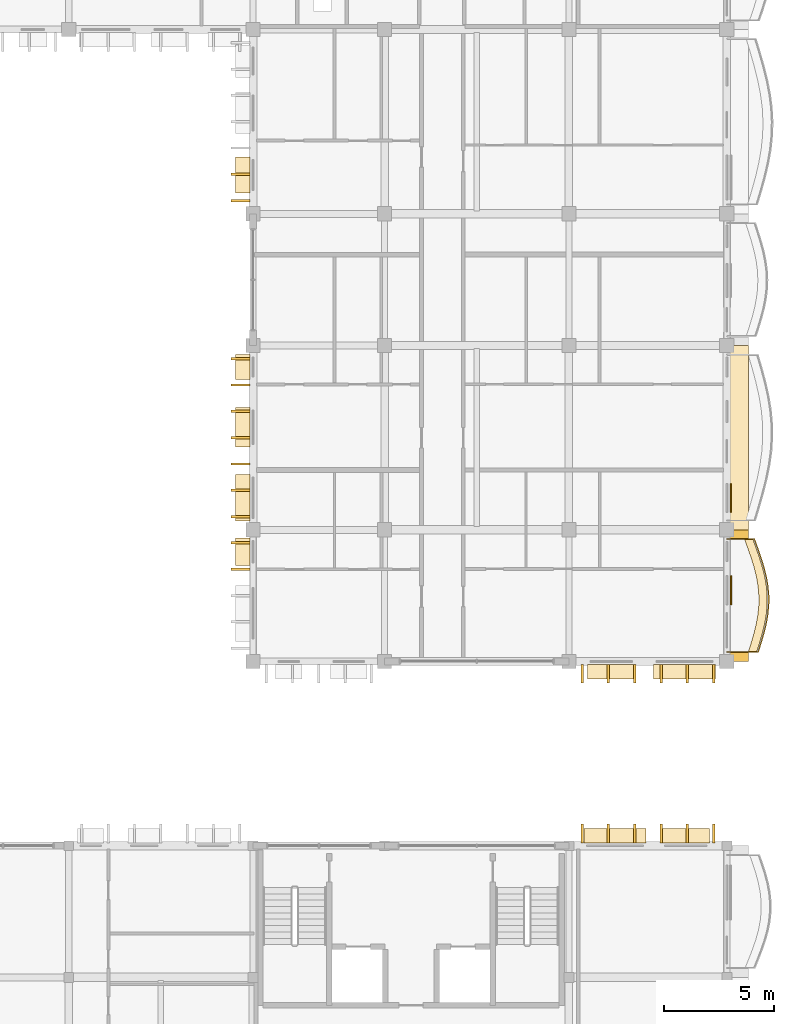
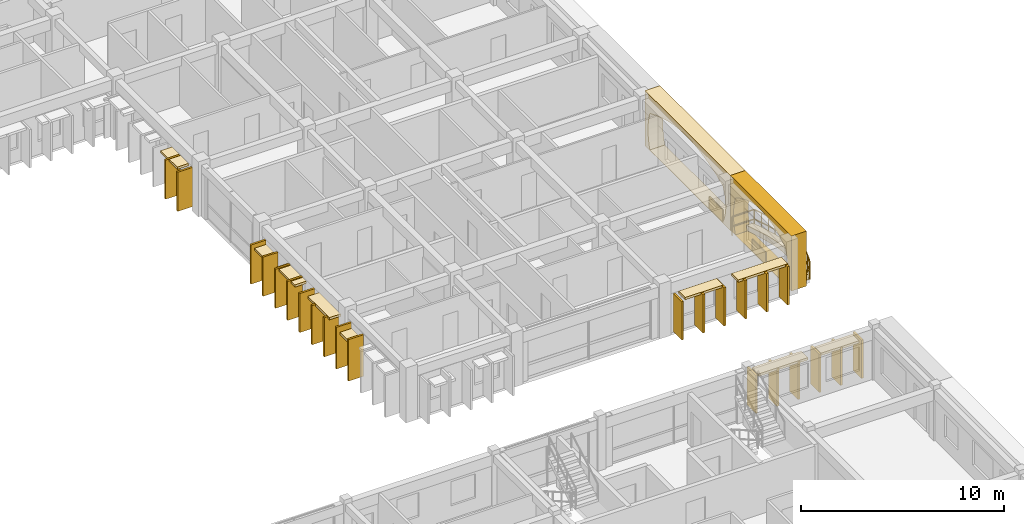
# One storey, part 71 of 76: 37 coverings, 1 railing.
"""IFC4 building model written with IfcOpenShell, lengths in metres."""

from ifc_helpers import new_model, si_unit, direction, frame, origin, origin_2d, place, context, subcontext, project, spatial, polyline, rectangle, outline, extrude, material, layer, layer_set, type_object, element, save


model = new_model("IFC4")

# Units and contexts
model_context = context("Model", 3, precision=1e-05, world=origin(), true_north=direction((0.0, 1.0)))
body_context = subcontext(model_context, "Body", "Model", "MODEL_VIEW")
ifc_project = project(units=[si_unit("LENGTHUNIT", "METRE"), si_unit("AREAUNIT", "SQUARE_METRE"), si_unit("VOLUMEUNIT", "CUBIC_METRE"), si_unit("PLANEANGLEUNIT", "RADIAN"), si_unit("MASSUNIT", "GRAM", prefix="KILO"), si_unit("THERMODYNAMICTEMPERATUREUNIT", "KELVIN")], contexts=[model_context])

# Site, building, storey
site_placement = place(None, origin())
site = spatial("IfcSite", under=ifc_project, at=site_placement, CompositionType="ELEMENT")
building_placement = place(site_placement, origin())
building = spatial("IfcBuilding", under=site, at=building_placement, Name="Thalorik Housing Commons", CompositionType="ELEMENT")
storey_placement = place(building_placement, frame((0.0, 0.0, 18.0)))
storey = spatial("IfcBuildingStorey", under=building, at=storey_placement, Name="L05", CompositionType="ELEMENT", Elevation=18.0)

# Coverings
ifc_material_1 = material(Name="Precast concrete C40/50", Category="concrete")
ifc_layer_1 = layer(ifc_material_1, 0.85009765625, Name="Precast concrete C40/50", Category="concrete")
ifc_layer_set_1 = layer_set([ifc_layer_1], Name="Precast concrete C40/50")
covering_type_1 = type_object("IfcCoveringType", Name="ARC-CLD-CUSH-850", PredefinedType="CLADDING", material=ifc_layer_set_1)
covering_1_placement = place(storey_placement, frame((174.570068359375, 83.39990234375, 0.0), z_axis=(0.0, 0.0, 1.0), x_axis=(0.0, 1.0, 0.0)))
element("IfcCovering", 1, at=covering_1_placement, inside=storey, type_object=covering_type_1, Name="L05 White Precast Curved Cushion Bay Frame 2354", PredefinedType="CLADDING", context=body_context, shape_type="SweptSolid", body=[
    extrude(outline(polyline([(-3.0, 0.0), (3.0, 0.0), (3.0, 3.300048828125), (-3.0, 3.300048828125), (-3.0, 0.0)]), holes=[polyline([(2.513427734375, 0.02490234375), (2.6162109375, 0.394287109375), (2.677734375, 0.76318359375), (2.6982421875, 1.132568359375), (2.677734375, 1.501708984375), (2.6162109375, 1.870849609375), (2.513427734375, 2.239990234375), (2.101318359375, 2.4833984375), (1.689453125, 2.6748046875), (1.277587890625, 2.82958984375), (0.865478515625, 2.94482421875), (0.45361328125, 3.01611328125), (0.041748046875, 3.0400390625), (-0.3701171875, 3.01611328125), (-0.7822265625, 2.94482421875), (-1.194091796875, 2.82958984375), (-1.606201171875, 2.6748046875), (-2.01806640625, 2.4833984375), (-2.429931640625, 2.239990234375), (-2.55029296875, 1.870849609375), (-2.62255859375, 1.501708984375), (-2.646484375, 1.132568359375), (-2.62255859375, 0.76318359375), (-2.55029296875, 0.394287109375), (-2.429931640625, 0.02490234375), (2.513427734375, 0.02490234375)])]), frame((0.0, 0.425048828125, 0.0), z_axis=(0.0, -1.0, 0.0), x_axis=(1.0, 0.0, 0.0)), (0.0, 0.0, 1.0), 0.85009765625),
])
covering_2_placement = place(storey_placement, frame((174.570068359375, 90.60009765625, 0.0), z_axis=(0.0, 0.0, 1.0), x_axis=(0.0, 1.0, 0.0)))
element("IfcCovering", 2, at=covering_2_placement, inside=storey, type_object=covering_type_1, Name="L05 White Precast Curved Cushion Bay Frame 2356", PredefinedType="CLADDING", context=body_context, shape_type="SweptSolid", body=[
    extrude(outline(polyline([(-4.199951171875, 0.0), (4.199951171875, 0.0), (4.199951171875, 3.300048828125), (-4.199951171875, 3.300048828125), (-4.199951171875, 0.0)]), holes=[polyline([(3.7216796875, 0.02490234375), (3.82275390625, 0.390869140625), (3.88330078125, 0.756591796875), (3.903564453125, 1.12255859375), (3.88330078125, 1.48828125), (3.82275390625, 1.854248046875), (3.7216796875, 2.219970703125), (3.12451171875, 2.469482421875), (2.52734375, 2.66552734375), (1.93017578125, 2.824462890625), (1.3330078125, 2.9423828125), (0.735595703125, 3.015380859375), (0.138427734375, 3.0400390625), (-0.458740234375, 3.015380859375), (-1.05615234375, 2.9423828125), (-1.6533203125, 2.824462890625), (-2.25048828125, 2.66552734375), (-2.847900390625, 2.469482421875), (-3.445068359375, 2.219970703125), (-3.614501953125, 1.854248046875), (-3.716064453125, 1.48828125), (-3.75, 1.12255859375), (-3.716064453125, 0.756591796875), (-3.614501953125, 0.390869140625), (-3.445068359375, 0.02490234375), (3.7216796875, 0.02490234375)])]), frame((0.0, 0.425048828125, 0.0), z_axis=(0.0, -1.0, 0.0), x_axis=(1.0, 0.0, 0.0)), (0.0, 0.0, 1.0), 0.85009765625),
])
ifc_layer_2 = layer(ifc_material_1, 0.85009765625, Name="Precast concrete C40/50", Category="concrete")
ifc_layer_set_2 = layer_set([ifc_layer_2], Name="Precast concrete C40/50")
covering_type_2 = type_object("IfcCoveringType", Name="ARC-CLD-FIN-850", PredefinedType="CLADDING", material=ifc_layer_set_2)
for number, where, z_axis, x_axis, name in (
    (3, (151.830078125, 102.60009765625, 0.0400390625), (0.0, 0.0, 1.0), (0.0, -1.0, 0.0), "L05 Courtyard Precast Vertical Brise-Soleil Fin 2317"),
    (4, (151.830078125, 101.39990234375, 0.0400390625), (0.0, 0.0, 1.0), (0.0, -1.0, 0.0), "L05 Courtyard Precast Vertical Brise-Soleil Fin 2318"),
    (5, (151.830078125, 94.199951171875, 0.0400390625), (0.0, 0.0, 1.0), (0.0, -1.0, 0.0), "L05 Courtyard Precast Vertical Brise-Soleil Fin 2322"),
    (6, (151.830078125, 93.0, 0.0400390625), (0.0, 0.0, 1.0), (0.0, -1.0, 0.0), "L05 Courtyard Precast Vertical Brise-Soleil Fin 2323"),
    (7, (151.830078125, 91.800048828125, 0.0400390625), (0.0, 0.0, 1.0), (0.0, -1.0, 0.0), "L05 Courtyard Precast Vertical Brise-Soleil Fin 2324"),
    (8, (151.830078125, 90.60009765625, 0.0400390625), (0.0, 0.0, 1.0), (0.0, -1.0, 0.0), "L05 Courtyard Precast Vertical Brise-Soleil Fin 2325"),
    (9, (151.830078125, 89.39990234375, 0.0400390625), (0.0, 0.0, 1.0), (0.0, -1.0, 0.0), "L05 Courtyard Precast Vertical Brise-Soleil Fin 2326"),
    (10, (151.830078125, 88.199951171875, 0.0400390625), (0.0, 0.0, 1.0), (0.0, -1.0, 0.0), "L05 Courtyard Precast Vertical Brise-Soleil Fin 2327"),
    (11, (151.830078125, 87.0, 0.0400390625), (0.0, 0.0, 1.0), (0.0, -1.0, 0.0), "L05 Courtyard Precast Vertical Brise-Soleil Fin 2328"),
):
    element("IfcCovering", number, at=place(storey_placement, frame(where, z_axis=z_axis, x_axis=x_axis)), inside=storey, type_object=covering_type_2, Name=name, PredefinedType="CLADDING", context=body_context, shape_type="SweptSolid", body=[
        extrude(rectangle(XDim=0.110107421875, YDim=0.85009765625, at=origin_2d()), origin(), (0.0, 0.0, 1.0), 2.344970703125),
    ])
for number, where, z_axis, x_axis, name in (
    (12, (151.830078125, 85.800048828125, 0.0400390625), (0.0, 0.0, 1.0), (0.0, -1.0, 0.0), "L05 Courtyard Precast Vertical Brise-Soleil Fin 2332"),
    (13, (151.830078125, 84.60009765625, 0.0400390625), (0.0, 0.0, 1.0), (0.0, -1.0, 0.0), "L05 Courtyard Precast Vertical Brise-Soleil Fin 2333"),
):
    element("IfcCovering", number, at=place(storey_placement, frame(where, z_axis=z_axis, x_axis=x_axis)), inside=storey, type_object=covering_type_2, Name=name, PredefinedType="CLADDING", context=body_context, shape_type="SweptSolid", body=[
        extrude(rectangle(XDim=0.110107421875, YDim=0.85009765625, at=origin_2d()), origin(), (0.0, 0.0, 1.0), 2.4951171875),
    ])
for number, where, z_axis, x_axis, name in (
    (14, (167.39990234375, 79.830078125, 0.0400390625), (0.0, 0.0, 1.0), (1.0, 0.0, 0.0), "L05 Courtyard Precast Vertical Brise-Soleil Fin 2346"),
    (15, (168.60009765625, 79.830078125, 0.0400390625), (0.0, 0.0, 1.0), (1.0, 0.0, 0.0), "L05 Courtyard Precast Vertical Brise-Soleil Fin 2347"),
    (16, (169.800048828125, 79.830078125, 0.0400390625), (0.0, 0.0, 1.0), (1.0, 0.0, 0.0), "L05 Courtyard Precast Vertical Brise-Soleil Fin 2348"),
    (17, (171.0, 79.830078125, 0.0400390625), (0.0, 0.0, 1.0), (1.0, 0.0, 0.0), "L05 Courtyard Precast Vertical Brise-Soleil Fin 2349"),
    (18, (172.199951171875, 79.830078125, 0.0400390625), (0.0, 0.0, 1.0), (1.0, 0.0, 0.0), "L05 Courtyard Precast Vertical Brise-Soleil Fin 2350"),
    (19, (173.39990234375, 79.830078125, 0.0400390625), (0.0, 0.0, 1.0), (1.0, 0.0, 0.0), "L05 Courtyard Precast Vertical Brise-Soleil Fin 2351"),
    (20, (173.39990234375, 72.554931640625, 0.0400390625), (0.0, 0.0, 1.0), (-1.0, 0.0, 0.0), "L05 Courtyard Precast Vertical Brise-Soleil Fin 4903"),
    (21, (172.199951171875, 72.554931640625, 0.0400390625), (0.0, 0.0, 1.0), (-1.0, 0.0, 0.0), "L05 Courtyard Precast Vertical Brise-Soleil Fin 4904"),
    (22, (171.0, 72.554931640625, 0.0400390625), (0.0, 0.0, 1.0), (-1.0, 0.0, 0.0), "L05 Courtyard Precast Vertical Brise-Soleil Fin 4905"),
    (23, (169.800048828125, 72.554931640625, 0.0400390625), (0.0, 0.0, 1.0), (-1.0, 0.0, 0.0), "L05 Courtyard Precast Vertical Brise-Soleil Fin 4906"),
    (24, (168.60009765625, 72.554931640625, 0.0400390625), (0.0, 0.0, 1.0), (-1.0, 0.0, 0.0), "L05 Courtyard Precast Vertical Brise-Soleil Fin 4907"),
    (25, (167.39990234375, 72.554931640625, 0.0400390625), (0.0, 0.0, 1.0), (-1.0, 0.0, 0.0), "L05 Courtyard Precast Vertical Brise-Soleil Fin 4908"),
):
    element("IfcCovering", number, at=place(storey_placement, frame(where, z_axis=z_axis, x_axis=x_axis)), inside=storey, type_object=covering_type_2, Name=name, PredefinedType="CLADDING", context=body_context, shape_type="SweptSolid", body=[
        extrude(rectangle(XDim=0.110107421875, YDim=0.85009765625, at=origin_2d()), origin(), (0.0, 0.0, 1.0), 2.294921875),
    ])
ifc_layer_3 = layer(ifc_material_1, 0.64990234375, Name="Precast concrete C40/50", Category="concrete")
ifc_layer_set_3 = layer_set([ifc_layer_3], Name="Precast concrete C40/50")
covering_type_3 = type_object("IfcCoveringType", Name="ARC-CLD-HOOD-650", PredefinedType="CLADDING", material=ifc_layer_set_3)
covering_3_placement = place(storey_placement, frame((151.929931640625, 102.56494140625, 2.240234375), z_axis=(0.0, 0.0, 1.0), x_axis=(0.0, -1.0, 0.0)))
element("IfcCovering", 26, at=covering_3_placement, inside=storey, type_object=covering_type_3, Name="L05 Courtyard Precast Window Sun-Hood 2321", PredefinedType="CLADDING", context=body_context, shape_type="SweptSolid", body=[
    extrude(rectangle(XDim=1.639892578125, YDim=0.64990234375, at=origin_2d()), origin(), (0.0, 0.0, 1.0), 0.139892578125),
])
covering_4_placement = place(storey_placement, frame((151.929931640625, 93.820068359375, 1.990234375), z_axis=(0.0, 0.0, 1.0), x_axis=(0.0, -1.0, 0.0)))
element("IfcCovering", 27, at=covering_4_placement, inside=storey, type_object=covering_type_3, Name="L05 Courtyard Precast Window Sun-Hood 2329", PredefinedType="CLADDING", context=body_context, shape_type="SweptSolid", body=[
    extrude(rectangle(XDim=1.139892578125, YDim=0.64990234375, at=origin_2d()), origin(), (0.0, 0.0, 1.0), 0.139892578125),
])
covering_5_placement = place(storey_placement, frame((151.929931640625, 91.074951171875, 2.18994140625), z_axis=(0.0, 0.0, 1.0), x_axis=(0.0, -1.0, 0.0)))
element("IfcCovering", 28, at=covering_5_placement, inside=storey, type_object=covering_type_3, Name="L05 Courtyard Precast Window Sun-Hood 2330", PredefinedType="CLADDING", context=body_context, shape_type="SweptSolid", body=[
    extrude(rectangle(XDim=1.7900390625, YDim=0.64990234375, at=origin_2d()), origin(), (0.0, 0.0, 1.0), 0.139892578125),
])
covering_6_placement = place(storey_placement, frame((151.929931640625, 87.85498046875, 2.27490234375), z_axis=(0.0, 0.0, 1.0), x_axis=(0.0, -1.0, 0.0)))
element("IfcCovering", 29, at=covering_6_placement, inside=storey, type_object=covering_type_3, Name="L05 Courtyard Precast Window Sun-Hood 2331", PredefinedType="CLADDING", context=body_context, shape_type="SweptSolid", body=[
    extrude(rectangle(XDim=2.1201171875, YDim=0.64990234375, at=origin_2d()), origin(), (0.0, 0.0, 1.0), 0.139892578125),
])
covering_7_placement = place(storey_placement, frame((151.929931640625, 85.39990234375, 2.0400390625), z_axis=(0.0, 0.0, 1.0), x_axis=(0.0, -1.0, 0.0)))
element("IfcCovering", 30, at=covering_7_placement, inside=storey, type_object=covering_type_3, Name="L05 Courtyard Precast Window Sun-Hood 2337", PredefinedType="CLADDING", context=body_context, shape_type="SweptSolid", body=[
    extrude(rectangle(XDim=1.239990234375, YDim=0.64990234375, at=origin_2d()), origin(), (0.0, 0.0, 1.0), 0.139892578125),
])
covering_8_placement = place(storey_placement, frame((168.72998046875, 79.929931640625, 2.22509765625), z_axis=(0.0, 0.0, 1.0), x_axis=(1.0, 0.0, 0.0)))
element("IfcCovering", 31, at=covering_8_placement, inside=storey, type_object=covering_type_3, Name="L05 Courtyard Precast Window Sun-Hood 2352", PredefinedType="CLADDING", context=body_context, shape_type="SweptSolid", body=[
    extrude(rectangle(XDim=2.159912109375, YDim=0.64990234375, at=origin_2d()), origin(), (0.0, 0.0, 1.0), 0.139892578125),
])
covering_9_placement = place(storey_placement, frame((172.070068359375, 79.929931640625, 2.22509765625), z_axis=(0.0, 0.0, 1.0), x_axis=(1.0, 0.0, 0.0)))
element("IfcCovering", 32, at=covering_9_placement, inside=storey, type_object=covering_type_3, Name="L05 Courtyard Precast Window Sun-Hood 2353", PredefinedType="CLADDING", context=body_context, shape_type="SweptSolid", body=[
    extrude(rectangle(XDim=2.820068359375, YDim=0.64990234375, at=origin_2d()), origin(), (0.0, 0.0, 1.0), 0.139892578125),
])
covering_10_placement = place(storey_placement, frame((172.12744140625, 72.455078125, 2.22509765625), z_axis=(0.0, 0.0, 1.0), x_axis=(-1.0, 0.0, 0.0)))
element("IfcCovering", 33, at=covering_10_placement, inside=storey, type_object=covering_type_3, Name="L05 Courtyard Precast Window Sun-Hood 4909", PredefinedType="CLADDING", context=body_context, shape_type="SweptSolid", body=[
    extrude(rectangle(XDim=2.159912109375, YDim=0.64990234375, at=origin_2d()), origin(), (0.0, 0.0, 1.0), 0.139892578125),
])
covering_11_placement = place(storey_placement, frame((168.902587890625, 72.455078125, 2.22509765625), z_axis=(0.0, 0.0, 1.0), x_axis=(-1.0, 0.0, 0.0)))
element("IfcCovering", 34, at=covering_11_placement, inside=storey, type_object=covering_type_3, Name="L05 Courtyard Precast Window Sun-Hood 4910", PredefinedType="CLADDING", context=body_context, shape_type="SweptSolid", body=[
    extrude(rectangle(XDim=2.820068359375, YDim=0.64990234375, at=origin_2d()), origin(), (0.0, 0.0, 1.0), 0.139892578125),
])
ifc_material_2 = material(Name="Terracotta red mineral fibre-cement panel", Category="masonry")
ifc_layer_4 = layer(ifc_material_2, 0.054931640625, Name="Terracotta red mineral fibre-cement panel", Category="masonry")
ifc_layer_set_4 = layer_set([ifc_layer_4], Name="Terracotta red mineral fibre-cement panel")
covering_type_4 = type_object("IfcCoveringType", Name="ARC-CLD-RED-55", PredefinedType="CLADDING", material=ifc_layer_set_4)
covering_12_placement = place(storey_placement, frame((174.177490234375, 87.85498046875, 0.0498046875), z_axis=(0.0, 0.0, 1.0), x_axis=(0.0, 1.0, 0.0)))
element("IfcCovering", 35, at=covering_12_placement, inside=storey, type_object=covering_type_4, Name="L05 De Stijl Recessed Window Spandrel 2357", PredefinedType="CLADDING", context=body_context, shape_type="SweptSolid", body=[
    extrude(rectangle(XDim=1.300048828125, YDim=0.054931640625, at=origin_2d()), origin(), (0.0, 0.0, 1.0), 0.699951171875),
])
ifc_material_3 = material(Name="Mineral ochre architectural terracotta panel", Category="masonry")
ifc_layer_5 = layer(ifc_material_3, 0.06494140625, Name="Mineral ochre architectural terracotta panel", Category="masonry")
ifc_layer_set_5 = layer_set([ifc_layer_5], Name="Mineral ochre architectural terracotta panel")
covering_type_5 = type_object("IfcCoveringType", Name="ARC-CLD-YEL-65", PredefinedType="CLADDING", material=ifc_layer_set_5)
covering_13_placement = place(storey_placement, frame((174.1826171875, 83.643310546875, 0.0498046875), z_axis=(0.0, 0.0, 1.0), x_axis=(0.0, 1.0, 0.0)))
element("IfcCovering", 36, at=covering_13_placement, inside=storey, type_object=covering_type_5, Name="L05 De Stijl Recessed Window Spandrel 2355", PredefinedType="CLADDING", context=body_context, shape_type="SweptSolid", body=[
    extrude(rectangle(XDim=1.320068359375, YDim=0.06494140625, at=origin_2d()), origin(), (0.0, 0.0, 1.0), 0.699951171875),
])
ifc_material_4 = material(Name="Planted vegetated substrate and terracotta trough", Category="masonry")
ifc_layer_6 = layer(ifc_material_4, 0.340087890625, Name="Planted vegetated substrate and terracotta trough", Category="masonry")
ifc_layer_set_6 = layer_set([ifc_layer_6], Name="Planted vegetated substrate and terracotta trough")
covering_type_6 = type_object("IfcCoveringType", Name="ARC-COV-PLANTER", PredefinedType="USERDEFINED", material=ifc_layer_set_6)
covering_14_placement = place(storey_placement, origin())
element("IfcCovering", 37, at=covering_14_placement, inside=storey, type_object=covering_type_6, Name="L05 Balcony Slab-Edge Planted Trough 5481", ObjectType="PLANTER", PredefinedType="USERDEFINED", context=body_context, shape_type="SweptSolid", body=[
    extrude(outline(polyline([(175.35302734375, 80.820068359375), (175.49072265625, 81.25), (175.616455078125, 81.679931640625), (175.720947265625, 82.110107421875), (175.796142578125, 82.5400390625), (175.836669921875, 82.969970703125), (175.838623046875, 83.39990234375), (175.801513671875, 83.830078125), (175.72705078125, 84.260009765625), (175.6201171875, 84.68994140625), (175.487548828125, 85.1201171875), (175.33837890625, 85.550048828125), (175.1826171875, 85.97998046875), (174.802490234375, 85.97998046875), (174.95849609375, 85.550048828125), (175.107666015625, 85.1201171875), (175.239990234375, 84.68994140625), (175.346923828125, 84.260009765625), (175.42138671875, 83.830078125), (175.45849609375, 83.39990234375), (175.45654296875, 82.969970703125), (175.416259765625, 82.5400390625), (175.3408203125, 82.110107421875), (175.236328125, 81.679931640625), (175.110595703125, 81.25), (174.972900390625, 80.820068359375), (175.35302734375, 80.820068359375)])), origin(), (0.0, 0.0, 1.0), 0.340087890625),
])

# Railing
ifc_material_5 = material(Name="Steel S355", Category="steel")
railing_type = type_object("IfcRailingType", Name="ARC-RL-BAL-115", PredefinedType="BALUSTRADE", material=ifc_material_5)
railing_placement = place(storey_placement, frame((174.0, 80.820068359375, 0.0)))
element("IfcRailing", 38, at=railing_placement, inside=storey, type_object=railing_type, Name="L05 Cushion Balcony Guardrail 165", PredefinedType="BALUSTRADE", context=body_context, shape_type="SweptSolid", body=[
    extrude(rectangle(XDim=0.050048828125, YDim=0.050048828125, at=origin_2d()), frame((0.0, 0.0, 1.125), z_axis=(1.0, 0.0, 0.0), x_axis=(0.0, 1.0, 0.0)), (0.0, 0.0, 1.0), 1.423095703125),
    extrude(rectangle(XDim=0.050048828125, YDim=0.050048828125, at=origin_2d()), frame((0.0, 0.0, 0.5498046875), z_axis=(1.0, 0.0, 0.0), x_axis=(0.0, 1.0, 0.0)), (0.0, 0.0, 1.0), 1.423095703125),
    extrude(rectangle(XDim=0.050048828125, YDim=0.050048828125, at=origin_2d()), frame((1.423095703125, 0.0, 1.125), z_axis=(0.305011189479, 0.95234876715, 0.0), x_axis=(-0.95234876715, 0.305011189479, 0.0)), (0.0, 0.0, 1.0), 0.451416015625),
    extrude(rectangle(XDim=0.050048828125, YDim=0.050048828125, at=origin_2d()), frame((1.423095703125, 0.0, 0.5498046875), z_axis=(0.305011189479, 0.95234876715, 0.0), x_axis=(-0.95234876715, 0.305011189479, 0.0)), (0.0, 0.0, 1.0), 0.451416015625),
    extrude(rectangle(XDim=0.050048828125, YDim=0.050048828125, at=origin_2d()), frame((1.560791015625, 0.429931640625, 1.125), z_axis=(0.280188385866, 0.959945034065, 0.0), x_axis=(-0.959945034065, 0.280188385866, 0.0)), (0.0, 0.0, 1.0), 0.44775390625),
    extrude(rectangle(XDim=0.050048828125, YDim=0.050048828125, at=origin_2d()), frame((1.560791015625, 0.429931640625, 0.5498046875), z_axis=(0.280188385866, 0.959945034065, 0.0), x_axis=(-0.959945034065, 0.280188385866, 0.0)), (0.0, 0.0, 1.0), 0.44775390625),
    extrude(rectangle(XDim=0.050048828125, YDim=0.050048828125, at=origin_2d()), frame((1.686279296875, 0.85986328125, 1.125), z_axis=(0.236562637415, 0.971616240385, 0.0), x_axis=(-0.971616240385, 0.236562637415, 0.0)), (0.0, 0.0, 1.0), 0.442626953125),
    extrude(rectangle(XDim=0.050048828125, YDim=0.050048828125, at=origin_2d()), frame((1.686279296875, 0.85986328125, 0.5498046875), z_axis=(0.236562637415, 0.971616240385, 0.0), x_axis=(-0.971616240385, 0.236562637415, 0.0)), (0.0, 0.0, 1.0), 0.442626953125),
    extrude(rectangle(XDim=0.050048828125, YDim=0.050048828125, at=origin_2d()), frame((1.791015625, 1.2900390625, 1.125), z_axis=(0.172285350329, 0.985047084185, 0.0), x_axis=(-0.985047084185, 0.172285350329, 0.0)), (0.0, 0.0, 1.0), 0.4365234375),
    extrude(rectangle(XDim=0.050048828125, YDim=0.050048828125, at=origin_2d()), frame((1.791015625, 1.2900390625, 0.5498046875), z_axis=(0.172285350329, 0.985047084185, 0.0), x_axis=(-0.985047084185, 0.172285350329, 0.0)), (0.0, 0.0, 1.0), 0.4365234375),
    extrude(rectangle(XDim=0.050048828125, YDim=0.050048828125, at=origin_2d()), frame((1.8662109375, 1.719970703125, 1.125), z_axis=(0.093288165726, 0.995639150564, 0.0), x_axis=(-0.995639150564, 0.093288165726, 0.0)), (0.0, 0.0, 1.0), 0.431884765625),
    extrude(rectangle(XDim=0.050048828125, YDim=0.050048828125, at=origin_2d()), frame((1.8662109375, 1.719970703125, 0.5498046875), z_axis=(0.093288165726, 0.995639150564, 0.0), x_axis=(-0.995639150564, 0.093288165726, 0.0)), (0.0, 0.0, 1.0), 0.431884765625),
    extrude(rectangle(XDim=0.050048828125, YDim=0.050048828125, at=origin_2d()), frame((1.906494140625, 2.14990234375, 1.125), z_axis=(0.005110665795, 0.999986940462, 0.0), x_axis=(-0.999986940462, 0.005110665795, 0.0)), (0.0, 0.0, 1.0), 0.429931640625),
    extrude(rectangle(XDim=0.050048828125, YDim=0.050048828125, at=origin_2d()), frame((1.906494140625, 2.14990234375, 0.5498046875), z_axis=(0.005110665795, 0.999986940462, 0.0), x_axis=(-0.999986940462, 0.005110665795, 0.0)), (0.0, 0.0, 1.0), 0.429931640625),
    extrude(rectangle(XDim=0.050048828125, YDim=0.050048828125, at=origin_2d()), frame((1.90869140625, 2.579833984375, 1.125), z_axis=(-0.086507623089, 0.996251188781, 0.0), x_axis=(-0.996251188781, -0.086507623089, 0.0)), (0.0, 0.0, 1.0), 0.431884765625),
    extrude(rectangle(XDim=0.050048828125, YDim=0.050048828125, at=origin_2d()), frame((1.90869140625, 2.579833984375, 0.5498046875), z_axis=(-0.086507623089, 0.996251188781, 0.0), x_axis=(-0.996251188781, -0.086507623089, 0.0)), (0.0, 0.0, 1.0), 0.431884765625),
    extrude(rectangle(XDim=0.050048828125, YDim=0.050048828125, at=origin_2d()), frame((1.871337890625, 3.010009765625, 1.125), z_axis=(-0.170113040708, 0.98542455489, 0.0), x_axis=(-0.98542455489, -0.170113040708, 0.0)), (0.0, 0.0, 1.0), 0.436279296875),
    extrude(rectangle(XDim=0.050048828125, YDim=0.050048828125, at=origin_2d()), frame((1.871337890625, 3.010009765625, 0.5498046875), z_axis=(-0.170113040708, 0.98542455489, 0.0), x_axis=(-0.98542455489, -0.170113040708, 0.0)), (0.0, 0.0, 1.0), 0.436279296875),
    extrude(rectangle(XDim=0.050048828125, YDim=0.050048828125, at=origin_2d()), frame((1.797119140625, 3.43994140625, 1.125), z_axis=(-0.241368478682, 0.970433541001, 0.0), x_axis=(-0.970433541001, -0.241368478682, 0.0)), (0.0, 0.0, 1.0), 0.443115234375),
    extrude(rectangle(XDim=0.050048828125, YDim=0.050048828125, at=origin_2d()), frame((1.797119140625, 3.43994140625, 0.5498046875), z_axis=(-0.241368478682, 0.970433541001, 0.0), x_axis=(-0.970433541001, -0.241368478682, 0.0)), (0.0, 0.0, 1.0), 0.443115234375),
    extrude(rectangle(XDim=0.050048828125, YDim=0.050048828125, at=origin_2d()), frame((1.690185546875, 3.869873046875, 1.125), z_axis=(-0.294505055258, 0.955649921481, 0.0), x_axis=(-0.955649921481, -0.294505055258, 0.0)), (0.0, 0.0, 1.0), 0.4501953125),
    extrude(rectangle(XDim=0.050048828125, YDim=0.050048828125, at=origin_2d()), frame((1.690185546875, 3.869873046875, 0.5498046875), z_axis=(-0.294505055258, 0.955649921481, 0.0), x_axis=(-0.955649921481, -0.294505055258, 0.0)), (0.0, 0.0, 1.0), 0.4501953125),
    extrude(rectangle(XDim=0.050048828125, YDim=0.050048828125, at=origin_2d()), frame((1.5576171875, 4.300048828125, 1.125), z_axis=(-0.327792246825, 0.944749830866, 0.0), x_axis=(-0.944749830866, -0.327792246825, 0.0)), (0.0, 0.0, 1.0), 0.455078125),
    extrude(rectangle(XDim=0.050048828125, YDim=0.050048828125, at=origin_2d()), frame((1.5576171875, 4.300048828125, 0.5498046875), z_axis=(-0.327792246825, 0.944749830866, 0.0), x_axis=(-0.944749830866, -0.327792246825, 0.0)), (0.0, 0.0, 1.0), 0.455078125),
    extrude(rectangle(XDim=0.050048828125, YDim=0.050048828125, at=origin_2d()), frame((1.408447265625, 4.72998046875, 1.125), z_axis=(-0.3406282576, 0.940198058988, 0.0), x_axis=(-0.940198058988, -0.3406282576, 0.0)), (0.0, 0.0, 1.0), 0.457275390625),
    extrude(rectangle(XDim=0.050048828125, YDim=0.050048828125, at=origin_2d()), frame((1.408447265625, 4.72998046875, 0.5498046875), z_axis=(-0.3406282576, 0.940198058988, 0.0), x_axis=(-0.940198058988, -0.3406282576, 0.0)), (0.0, 0.0, 1.0), 0.457275390625),
    extrude(rectangle(XDim=0.050048828125, YDim=0.050048828125, at=origin_2d()), frame((1.252685546875, 5.159912109375, 1.125), z_axis=(-1.0, 0.0, 0.0), x_axis=(0.0, -1.0, 0.0)), (0.0, 0.0, 1.0), 1.252685546875),
    extrude(rectangle(XDim=0.050048828125, YDim=0.050048828125, at=origin_2d()), frame((1.252685546875, 5.159912109375, 0.5498046875), z_axis=(-1.0, 0.0, 0.0), x_axis=(0.0, -1.0, 0.0)), (0.0, 0.0, 1.0), 1.252685546875),
    extrude(rectangle(XDim=0.0419921875, YDim=0.0419921875, at=origin_2d()), origin(), (0.0, 0.0, 1.0), 1.099853515625),
    extrude(rectangle(XDim=0.0419921875, YDim=0.0419921875, at=origin_2d()), frame((1.423095703125, 0.0, 0.0)), (0.0, 0.0, 1.0), 1.099853515625),
    extrude(rectangle(XDim=0.0419921875, YDim=0.0419921875, at=origin_2d()), frame((1.560791015625, 0.429931640625, 0.0)), (0.0, 0.0, 1.0), 1.099853515625),
    extrude(rectangle(XDim=0.0419921875, YDim=0.0419921875, at=origin_2d()), frame((1.686279296875, 0.85986328125, 0.0)), (0.0, 0.0, 1.0), 1.099853515625),
    extrude(rectangle(XDim=0.0419921875, YDim=0.0419921875, at=origin_2d()), frame((1.791015625, 1.2900390625, 0.0)), (0.0, 0.0, 1.0), 1.099853515625),
    extrude(rectangle(XDim=0.0419921875, YDim=0.0419921875, at=origin_2d()), frame((1.8662109375, 1.719970703125, 0.0)), (0.0, 0.0, 1.0), 1.099853515625),
    extrude(rectangle(XDim=0.0419921875, YDim=0.0419921875, at=origin_2d()), frame((1.906494140625, 2.14990234375, 0.0)), (0.0, 0.0, 1.0), 1.099853515625),
    extrude(rectangle(XDim=0.0419921875, YDim=0.0419921875, at=origin_2d()), frame((1.90869140625, 2.579833984375, 0.0)), (0.0, 0.0, 1.0), 1.099853515625),
    extrude(rectangle(XDim=0.0419921875, YDim=0.0419921875, at=origin_2d()), frame((1.871337890625, 3.010009765625, 0.0)), (0.0, 0.0, 1.0), 1.099853515625),
    extrude(rectangle(XDim=0.0419921875, YDim=0.0419921875, at=origin_2d()), frame((1.797119140625, 3.43994140625, 0.0)), (0.0, 0.0, 1.0), 1.099853515625),
    extrude(rectangle(XDim=0.0419921875, YDim=0.0419921875, at=origin_2d()), frame((1.690185546875, 3.869873046875, 0.0)), (0.0, 0.0, 1.0), 1.099853515625),
    extrude(rectangle(XDim=0.0419921875, YDim=0.0419921875, at=origin_2d()), frame((1.5576171875, 4.300048828125, 0.0)), (0.0, 0.0, 1.0), 1.099853515625),
    extrude(rectangle(XDim=0.0419921875, YDim=0.0419921875, at=origin_2d()), frame((1.408447265625, 4.72998046875, 0.0)), (0.0, 0.0, 1.0), 1.099853515625),
    extrude(rectangle(XDim=0.0419921875, YDim=0.0419921875, at=origin_2d()), frame((1.252685546875, 5.159912109375, 0.0)), (0.0, 0.0, 1.0), 1.099853515625),
    extrude(rectangle(XDim=0.0419921875, YDim=0.0419921875, at=origin_2d()), frame((0.0, 5.159912109375, 0.0)), (0.0, 0.0, 1.0), 1.099853515625),
])

save(model, "model.ifc")
